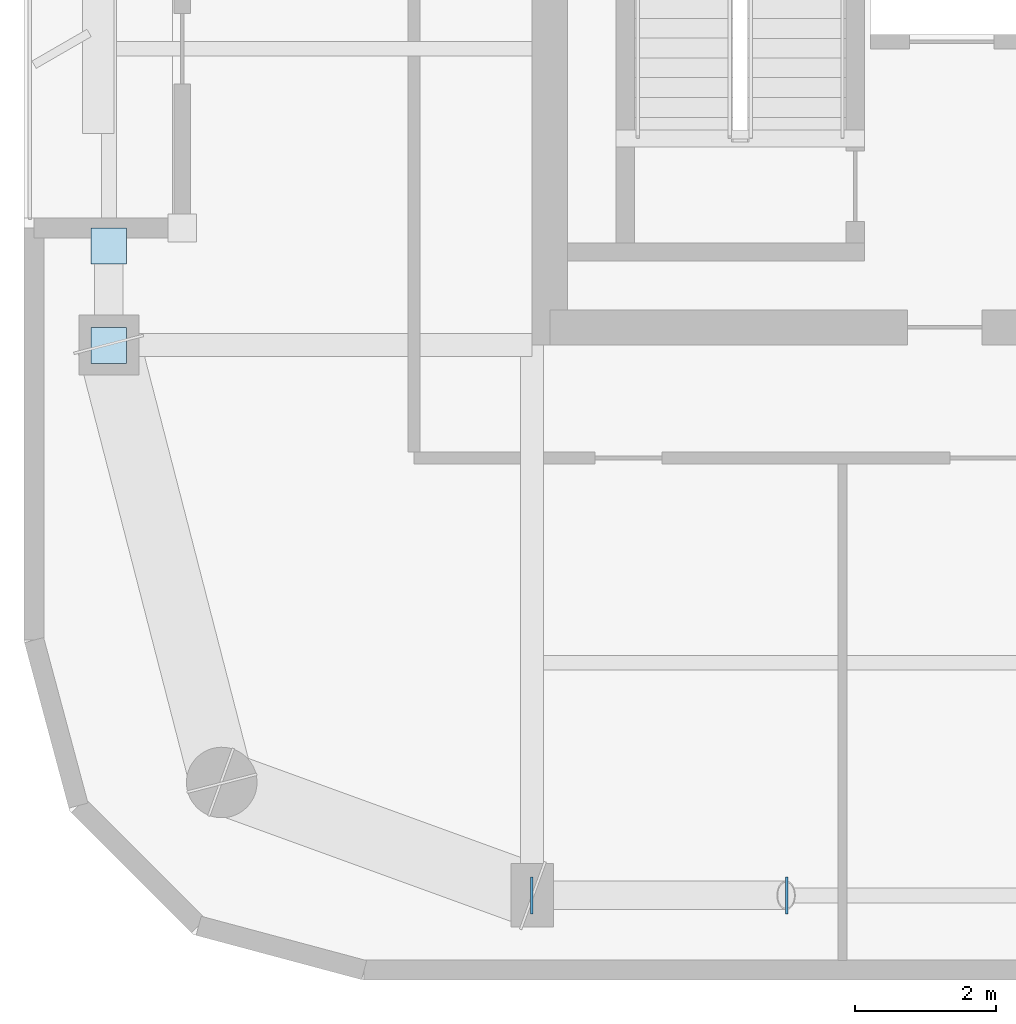
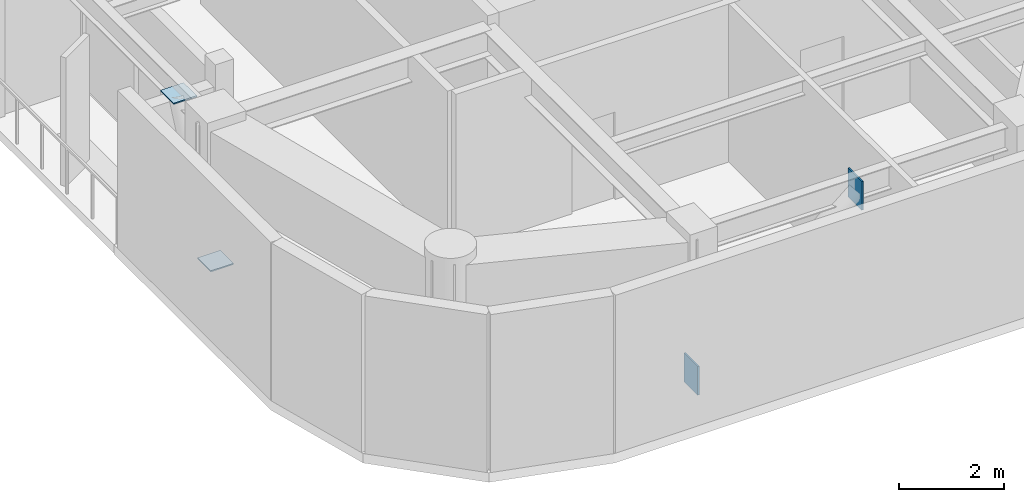
# One storey, part 8 of 15: 4 plates.
"""IFC4 building model written with IfcOpenShell, lengths in metres."""

from ifc_helpers import new_model, si_unit, direction, frame, origin, origin_2d, place, context, subcontext, project, spatial, rectangle, extrude, material, layer, layer_set, type_object, element, save


model = new_model("IFC4")

# Units and contexts
model_context = context("Model", 3, precision=1e-05, world=origin(), true_north=direction((0.0, 1.0)))
body_context = subcontext(model_context, "Body", "Model", "MODEL_VIEW")
ifc_project = project(units=[si_unit("LENGTHUNIT", "METRE"), si_unit("AREAUNIT", "SQUARE_METRE"), si_unit("VOLUMEUNIT", "CUBIC_METRE"), si_unit("PLANEANGLEUNIT", "RADIAN"), si_unit("MASSUNIT", "GRAM", prefix="KILO")], contexts=[model_context])

# Site, building, storey
site_placement = place(None, origin())
site = spatial("IfcSite", under=ifc_project, at=site_placement, CompositionType="ELEMENT")
building_placement = place(site_placement, origin())
building = spatial("IfcBuilding", under=site, at=building_placement, Name="Kiyonajd Concourse Tower", CompositionType="ELEMENT")
storey_placement = place(building_placement, frame((0.0, 0.0, 318.0)))
storey = spatial("IfcBuildingStorey", under=building, at=storey_placement, Name="L80", CompositionType="ELEMENT", Elevation=318.0)

# Plates
ifc_material = material(Name="Steel ASTM A572 Grade 50", Category="steel")
ifc_layer = layer(ifc_material, 0.028076171875)
ifc_layer_set = layer_set([ifc_layer], Name="Steel ASTM A572 Grade 50")
plate_type = type_object("IfcPlateType", Name="PL-CAP-450", PredefinedType="USERDEFINED", material=ifc_layer_set)
for number, where, z_axis, x_axis, name in (
    (1, (32.3916015625, 19.800048828125, -0.04248046875), (0.0, 0.0, 1.0), (-1.0, 0.0, 0.0), "L80 Hollow Brace End Cap Plate PBS"),
    (2, (36.00830078125, 19.800048828125, 3.001708984375), (0.0, 0.0, 1.0), (1.0, 0.0, 0.0), "L80 Hollow Brace Top Cap Plate PBS"),
):
    element("IfcPlate", number, at=place(storey_placement, frame(where, z_axis=z_axis, x_axis=x_axis)), inside=storey, type_object=plate_type, Name=name, ObjectType="CAP PLATE", PredefinedType="USERDEFINED", context=body_context, shape_type="SweptSolid", body=[
        extrude(rectangle(XDim=0.035888671875, YDim=0.52587890625, at=origin_2d()), origin(), (0.0, 0.0, 1.0), 0.6708984375),
    ])
for number, where, z_axis, x_axis, name in (
    (3, (26.39990234375, 27.595458984375, 0.27587890625), (0.0, 0.0, 1.0), (1.0, 0.0, 0.0), "L80 Hollow Brace End Cap Plate PBW"),
    (4, (26.39990234375, 29.004638671875, 3.326171875), (0.0, 0.0, 1.0), (1.0, 0.0, 0.0), "L80 Hollow Brace Top Cap Plate PBW"),
):
    element("IfcPlate", number, at=place(storey_placement, frame(where, z_axis=z_axis, x_axis=x_axis)), inside=storey, type_object=plate_type, Name=name, ObjectType="CAP PLATE", PredefinedType="USERDEFINED", context=body_context, shape_type="SweptSolid", body=[
        extrude(rectangle(XDim=0.506103515625, YDim=0.506103515625, at=origin_2d()), origin(), (0.0, 0.0, 1.0), 0.028076171875),
    ])

save(model, "model.ifc")
